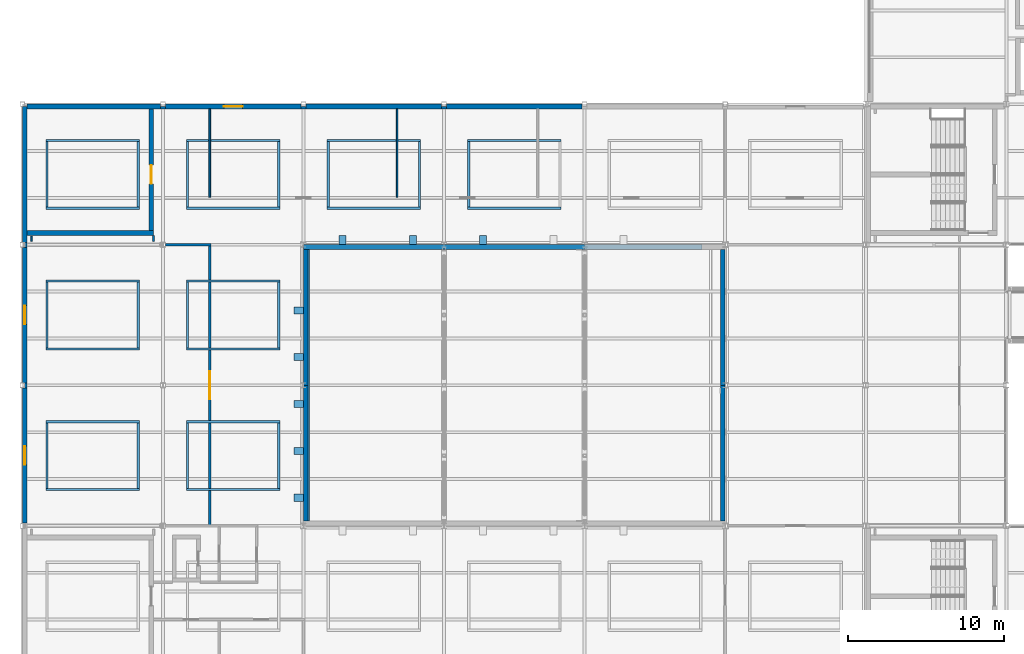
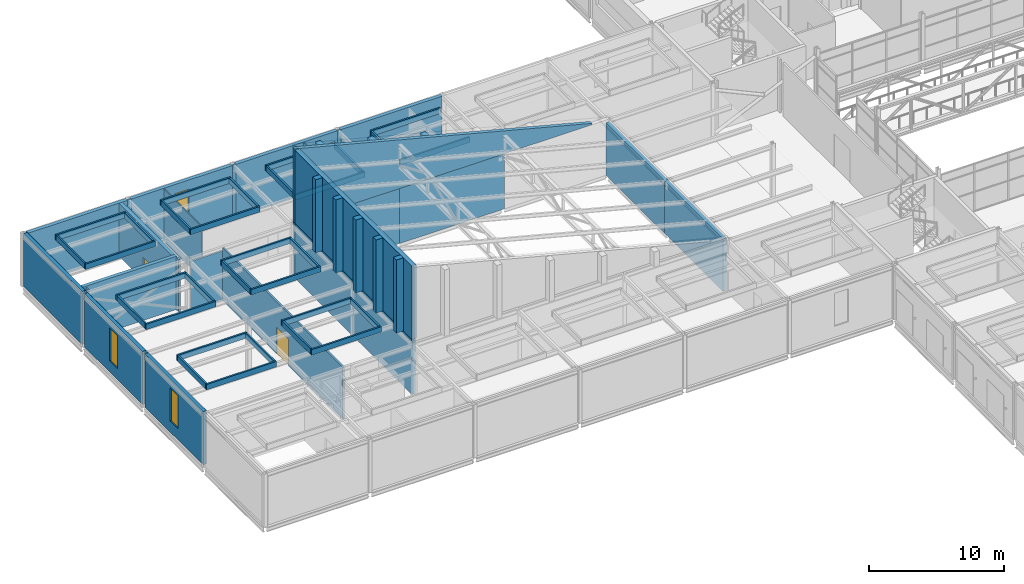
# One storey, part 83 of 115: 67 walls, 3 windows, 2 doors, 5 openings.
"""IFC4 building model written with IfcOpenShell, lengths in metres."""

import ifcopenshell
import ifcopenshell.guid

model = None  # the IFC model being written
_history = None  # IfcOwnerHistory: only IFC2X3 demands one
_inside = {}  # id of a spatial element -> (the spatial element, [elements in it])
_under = {}  # id of a project, library or spatial element -> (it, [spatial elements below it])
_declared = {}  # id of a project -> (the project, [libraries it declares])
_typed = {}  # id of a type object -> (the type object, [elements of that type])
_made_of = {}  # id of a material, layer set ... -> (it, [elements and type objects made of it])


def new_model(schema):
    """Start an empty IFC model of exactly this schema.

    Asked for "IFC4X3", IfcOpenShell would pick the latest addendum, in which some entities
    have other attributes; the version numbers below select the first issue.
    IFC2X3 requires an IfcOwnerHistory on every rooted entity: one is made here for all.
    """
    global model, _history
    if schema == "IFC4X3":
        model = ifcopenshell.file(schema_version=(4, 3, 0, 0))
    else:
        model = ifcopenshell.file(schema=schema)
    _inside.clear()
    _under.clear()
    _declared.clear()
    _typed.clear()
    _made_of.clear()
    _history = None
    if model.schema == "IFC2X3":
        org = make("IfcOrganization", Name="unknown")
        user = make(
            "IfcPersonAndOrganization",
            ThePerson=make("IfcPerson", FamilyName="unknown"),
            TheOrganization=org,
        )
        app = make(
            "IfcApplication",
            ApplicationDeveloper=org,
            Version="unknown",
            ApplicationFullName="unknown",
            ApplicationIdentifier="unknown",
        )
        _history = make(
            "IfcOwnerHistory",
            OwningUser=user,
            OwningApplication=app,
            ChangeAction="ADDED",
            CreationDate=0,
        )
    return model


def make(cls, **values):
    """One entity of the class cls with the attributes given. An attribute that is None is left unset."""
    return model.create_entity(
        cls, **{name: value for name, value in values.items() if value is not None}
    )


def rooted(cls, **values):
    """An entity with a GlobalId (a new one), such as an element, a storey or a relation."""
    return make(cls, GlobalId=ifcopenshell.guid.new(), OwnerHistory=_history, **values)


def si_unit(unit_type, name, prefix=None):
    """IfcSIUnit, for example si_unit("LENGTHUNIT", "METRE", prefix="MILLI")."""
    return make("IfcSIUnit", UnitType=unit_type, Prefix=prefix, Name=name)


def assignment(units):
    """IfcUnitAssignment: the units of a project."""
    return None if units is None else make("IfcUnitAssignment", Units=units)


def point(xyz):
    """IfcCartesianPoint."""
    return None if xyz is None else make("IfcCartesianPoint", Coordinates=xyz)


def direction(xyz):
    """IfcDirection."""
    return None if xyz is None else make("IfcDirection", DirectionRatios=xyz)


def frame(location, z_axis=None, x_axis=None):
    """IfcAxis2Placement3D, a coordinate frame: its origin and axes. An axis left out is left unset."""
    return make(
        "IfcAxis2Placement3D",
        Location=point(location),
        Axis=direction(z_axis),
        RefDirection=direction(x_axis),
    )


def frame_2d(location, x_axis=None):
    """IfcAxis2Placement2D, a coordinate frame in the plane: its origin and x axis."""
    return make(
        "IfcAxis2Placement2D", Location=point(location), RefDirection=direction(x_axis)
    )


def origin():
    """The frame at (0, 0, 0) with its axes left unset."""
    return frame((0.0, 0.0, 0.0))


def place(relative_to, where):
    """IfcLocalPlacement: puts the frame where relative to a parent placement (None: the world)."""
    return make(
        "IfcLocalPlacement", PlacementRelTo=relative_to, RelativePlacement=where
    )


def context(
    kind, dimensions, precision=None, world=None, true_north=None, identifier=None
):
    """IfcGeometricRepresentationContext, for example the 3D "Model" context."""
    return make(
        "IfcGeometricRepresentationContext",
        ContextIdentifier=identifier,
        ContextType=kind,
        CoordinateSpaceDimension=dimensions,
        Precision=precision,
        WorldCoordinateSystem=world,
        TrueNorth=true_north,
    )


def subcontext(parent, identifier, kind, view, scale=None):
    """IfcGeometricRepresentationSubContext, for example "Body" below "Model"."""
    return make(
        "IfcGeometricRepresentationSubContext",
        ContextIdentifier=identifier,
        ContextType=kind,
        ParentContext=parent,
        TargetScale=scale,
        TargetView=view,
    )


def project(units=None, contexts=None):
    """IfcProject with its units and contexts."""
    return rooted(
        "IfcProject",
        Name="project",
        RepresentationContexts=contexts,
        UnitsInContext=assignment(units),
    )


def spatial(cls, under=None, at=None, **own):
    """A site, building, storey or space (cls), placed at a placement, below another one or the project."""
    s = rooted(cls, ObjectPlacement=at, **own)
    if under is not None:
        _under.setdefault(under.id(), (under, []))[1].append(s)
    return s


def polyline(points):
    """IfcPolyline through the points."""
    return make("IfcPolyline", Points=[point(p) for p in points])


def profile(cls, at=None, kind="AREA", **sizes):
    """A parametric profile (cls). Its sizes go by their IFC names, for example OverallWidth=200.0."""
    return make(cls, ProfileType=kind, Position=at, **sizes)


def rectangle(**sizes):
    """IfcRectangleProfileDef."""
    return profile("IfcRectangleProfileDef", **sizes)


def outline(outer, holes=None, kind="AREA"):
    """IfcArbitraryClosedProfileDef: a profile drawn as a closed curve; with holes, ...WithVoids."""
    if holes is None:
        return make("IfcArbitraryClosedProfileDef", ProfileType=kind, OuterCurve=outer)
    return make(
        "IfcArbitraryProfileDefWithVoids",
        ProfileType=kind,
        OuterCurve=outer,
        InnerCurves=holes,
    )


def extrude(swept, where, along, depth):
    """IfcExtrudedAreaSolid: the profile swept, set in the frame where, extruded along a direction by depth."""
    return make(
        "IfcExtrudedAreaSolid",
        SweptArea=swept,
        Position=where,
        ExtrudedDirection=direction(along),
        Depth=depth,
    )


def shape(context_of_items, identifier, shape_type, items):
    """IfcShapeRepresentation: the items that make up one representation, for example the "Body"."""
    return make(
        "IfcShapeRepresentation",
        ContextOfItems=context_of_items,
        RepresentationIdentifier=identifier,
        RepresentationType=shape_type,
        Items=items,
    )


def material(Name=None, Category=None):
    """IfcMaterial."""
    return make("IfcMaterial", Name=Name, Category=Category)


def layer(
    of_material, thickness, ventilated=None, Name=None, Category=None, Priority=None
):
    """IfcMaterialLayer: one layer of a wall or slab, of a material (None: an air gap)."""
    return make(
        "IfcMaterialLayer",
        Material=of_material,
        LayerThickness=thickness,
        IsVentilated=ventilated,
        Name=Name,
        Category=Category,
        Priority=Priority,
    )


def layer_set(layers, Name=None):
    """IfcMaterialLayerSet."""
    return make("IfcMaterialLayerSet", MaterialLayers=layers, LayerSetName=Name)


def made_of(thing, what):
    """Note that an element or type object is made of a material, layer set ...; save() writes the relation."""
    if what is not None:
        _made_of.setdefault(what.id(), (what, []))[1].append(thing)
    return thing


def type_object(cls, material=None, **own):
    """A type object (cls), such as IfcWallType, which elements share."""
    return made_of(rooted(cls, **own), material)


def element(
    cls,
    number,
    at=None,
    inside=None,
    cuts=None,
    type_object=None,
    material=None,
    context=None,
    identifier="Body",
    shape_type=None,
    held_by="IfcProductDefinitionShape",
    body=None,
    shapes=None,
    **own,
):
    """One element of the class cls, such as IfcWall. Its Tag is "e" and its number.

    at: its placement. inside: the storey or other place that contains it. cuts: it is an
    opening in that element (IfcRelVoidsElement). A single representation is given by context,
    identifier, shape_type and body (its items); several are given by shapes. held_by: the class
    of the entity that holds the representations. save() writes the other relations.
    """
    e = rooted(cls, Tag="e%d" % number, ObjectPlacement=at, **own)
    if body is not None:
        shapes = [shape(context, identifier, shape_type, body)]
    if shapes is not None:
        e.Representation = make(held_by, Representations=shapes)
    if inside is not None:
        _inside.setdefault(inside.id(), (inside, []))[1].append(e)
    if cuts is not None:
        rooted(
            "IfcRelVoidsElement", RelatingBuildingElement=cuts, RelatedOpeningElement=e
        )
    if type_object is not None:
        _typed.setdefault(type_object.id(), (type_object, []))[1].append(e)
    return made_of(e, material)


def fill(opening, filler):
    """IfcRelFillsElement: the door or window that sits in an opening."""
    return rooted(
        "IfcRelFillsElement",
        RelatingOpeningElement=opening,
        RelatedBuildingElement=filler,
    )


def aggregate(whole, parts):
    """IfcRelAggregates: a whole, such as a stair, and the parts it consists of."""
    return rooted("IfcRelAggregates", RelatingObject=whole, RelatedObjects=parts)


def save(model, path):
    """Write the relations noted so far, then the file.

    IfcRelAggregates (storeys below a building ...), IfcRelContainedInSpatialStructure (elements
    in a storey), IfcRelDefinesByType, IfcRelAssociatesMaterial and IfcRelDeclares: one each for
    every whole, place, type object, material and project.
    """
    for whole, parts in _under.values():
        aggregate(whole, parts)
    for where, things in _inside.values():
        rooted(
            "IfcRelContainedInSpatialStructure",
            RelatedElements=things,
            RelatingStructure=where,
        )
    for kind, things in _typed.values():
        rooted("IfcRelDefinesByType", RelatedObjects=things, RelatingType=kind)
    for what, things in _made_of.values():
        rooted("IfcRelAssociatesMaterial", RelatedObjects=things, RelatingMaterial=what)
    for by, libraries in _declared.values():
        rooted("IfcRelDeclares", RelatingContext=by, RelatedDefinitions=libraries)
    model.write(path)


model = new_model("IFC4")

# Units and contexts
model_context = context("Model", 3, precision=1e-05, world=origin(), true_north=direction((0.0, 1.0)))
body_context = subcontext(model_context, "Body", "Model", "MODEL_VIEW")
ifc_project = project(units=[si_unit("LENGTHUNIT", "METRE"), si_unit("AREAUNIT", "SQUARE_METRE"), si_unit("VOLUMEUNIT", "CUBIC_METRE"), si_unit("PLANEANGLEUNIT", "RADIAN"), si_unit("MASSUNIT", "GRAM", prefix="KILO")], contexts=[model_context])

# Site, building, storey
site_placement = place(None, origin())
site = spatial("IfcSite", under=ifc_project, at=site_placement, CompositionType="ELEMENT")
building_placement = place(site_placement, origin())
building = spatial("IfcBuilding", under=site, at=building_placement, Name="Shorebreak Coast Museum", CompositionType="ELEMENT")
storey_placement = place(building_placement, frame((0.0, 0.0, 11.0)))
storey = spatial("IfcBuildingStorey", under=building, at=storey_placement, Name="L02", CompositionType="ELEMENT", Elevation=11.0)

# Walls
ifc_material_1 = material(Name="Concrete N50 (50 MPa)", Category="concrete")
ifc_layer_1 = layer(ifc_material_1, 0.14990234375)
ifc_layer_set_1 = layer_set([ifc_layer_1], Name="Concrete N50 (50 MPa)")
wall_type_1 = type_object("IfcWallType", Name="Column closure panel 150", PredefinedType="SOLIDWALL", material=ifc_layer_set_1)
wall_1_placement = place(storey_placement, frame((8.85009765625, 89.77490234375, 0.0), z_axis=(0.0, 0.0, 1.0), x_axis=(1.0, 0.0, 0.0)))
element("IfcWall", 1, at=wall_1_placement, inside=storey, type_object=wall_type_1, Name="Column closure panel L02 N 2L", PredefinedType="SOLIDWALL", context=body_context, shape_type="SweptSolid", body=[
    extrude(rectangle(XDim=0.322021484375, YDim=0.14990234375, at=frame_2d((0.1611328125, 0.0))), origin(), (0.0, 0.0, 1.0), 4.824951171875),
])
for number, where, z_axis, x_axis, name in (
    (2, (17.839111328125, 89.77490234375, 0.0), (0.0, 0.0, 1.0), (1.0, 0.0, 0.0), "Column closure panel L02 N 3L"),
    (3, (26.839111328125, 89.77490234375, 0.0), (0.0, 0.0, 1.0), (1.0, 0.0, 0.0), "Column closure panel L02 N 4L"),
    (4, (0.22509765625, 71.839111328125, 0.0), (0.0, 0.0, 1.0), (0.0, 1.0, 0.0), "Column closure panel L02 W 1J"),
):
    element("IfcWall", number, at=place(storey_placement, frame(where, z_axis=z_axis, x_axis=x_axis)), inside=storey, type_object=wall_type_1, Name=name, PredefinedType="SOLIDWALL", context=body_context, shape_type="SweptSolid", body=[
        extrude(rectangle(XDim=0.32177734375, YDim=0.14990234375, at=frame_2d((0.160888671875, 0.0))), origin(), (0.0, 0.0, 1.0), 4.824951171875),
    ])
wall_2_placement = place(storey_placement, frame((0.22509765625, 80.827880859375, 0.0), z_axis=(0.0, 0.0, 1.0), x_axis=(0.0, 1.0, 0.0)))
element("IfcWall", 5, at=wall_2_placement, inside=storey, type_object=wall_type_1, Name="Column closure panel L02 W 1K", PredefinedType="SOLIDWALL", context=body_context, shape_type="SweptSolid", body=[
    extrude(rectangle(XDim=0.322021484375, YDim=0.14990234375, at=frame_2d((0.1611328125, 0.0))), origin(), (0.0, 0.0, 1.0), 4.824951171875),
])
ifc_material_2 = material(Name="Plasterboard on steel stud", Category="steel")
ifc_layer_2 = layer(ifc_material_2, 0.14990234375)
ifc_layer_set_2 = layer_set([ifc_layer_2], Name="Plasterboard on steel stud")
wall_type_2 = type_object("IfcWallType", Name="Fire partition 150", PredefinedType="PARTITIONING", material=ifc_layer_set_2)
wall_3_placement = place(storey_placement, frame((9.153564453125, 81.0, 0.0), z_axis=(0.0, 0.0, 1.0), x_axis=(1.0, 0.0, 0.0)))
element("IfcWall", 6, at=wall_3_placement, inside=storey, type_object=wall_type_2, Name="Partition L02-052", PredefinedType="PARTITIONING", context=body_context, shape_type="SweptSolid", body=[
    extrude(rectangle(XDim=2.92138671875, YDim=0.14990234375, at=frame_2d((1.460693359375, 0.0))), origin(), (0.0, 0.0, 1.0), 4.469482421875),
])
wall_4_placement = place(storey_placement, frame((8.39990234375, 81.219970703125, 0.0), z_axis=(0.0, 0.0, 1.0), x_axis=(0.0, 1.0, 0.0)))
element("IfcWall", 7, at=wall_4_placement, inside=storey, type_object=wall_type_2, Name="Partition L02-088", PredefinedType="PARTITIONING", context=body_context, shape_type="SweptSolid", body=[
    extrude(rectangle(XDim=0.380126953125, YDim=0.14990234375, at=frame_2d((0.18994140625, 0.0))), origin(), (0.0, 0.0, 1.0), 4.741943359375),
])

# Wall, opening, door
wall_5_placement = place(storey_placement, frame((12.0, 63.0625, 0.0), z_axis=(0.0, 0.0, 1.0), x_axis=(0.0, 1.0, 0.0)))
wall_5 = element("IfcWall", 8, at=wall_5_placement, inside=storey, type_object=wall_type_2, Name="Partition L02-089", PredefinedType="PARTITIONING", context=body_context, shape_type="SweptSolid", body=[
    extrude(rectangle(XDim=17.862548828125, YDim=0.14990234375, at=frame_2d((8.93115234375, 0.0))), origin(), (0.0, 0.0, 1.0), 4.741943359375),
])
opening_1_placement = place(wall_5_placement, frame((8.050048828125, 0.0, 0.0)))
opening_1 = element("IfcOpeningElement", 9, at=opening_1_placement, cuts=wall_5, Name="Opening D2052", PredefinedType="OPENING", context=body_context, shape_type="SweptSolid", body=[
    extrude(rectangle(XDim=1.800048828125, YDim=2.39990234375, at=frame_2d((0.89990234375, 1.199951171875))), frame((0.0, 0.0849609375, 0.0), z_axis=(0.0, -1.0, 0.0), x_axis=(1.0, 0.0, 0.0)), (0.0, 0.0, 1.0), 0.169921875),
])
ifc_material_3 = material(Name="Steel", Category="steel")
door_type_1 = type_object("IfcDoorType", Name="Fire door 1800x2400 60", OperationType="DOUBLE_DOOR_SINGLE_SWING", PredefinedType="DOOR", material=ifc_material_3)
door_1_placement = place(opening_1_placement, origin())
door_1 = element("IfcDoor", 10, at=door_1_placement, inside=storey, type_object=door_type_1, Name="Door D2052 Family Gallery", OperationType="DOUBLE_DOOR_SINGLE_SWING", OverallHeight=2.39990234375, OverallWidth=1.800048828125, PredefinedType="DOOR", context=body_context, shape_type="SweptSolid", body=[
    extrude(rectangle(XDim=1.800048828125, YDim=2.39990234375, at=frame_2d((0.89990234375, 1.199951171875))), frame((0.0, 0.02490234375, 0.0), z_axis=(0.0, -1.0, 0.0), x_axis=(1.0, 0.0, 0.0)), (0.0, 0.0, 1.0), 0.050048828125),
])
fill(opening_1, door_1)

# Walls
ifc_material_4 = material(Name="Plasterboard on steel stud", Category="steel")
ifc_layer_3 = layer(ifc_material_4, 0.10009765625)
ifc_layer_set_3 = layer_set([ifc_layer_3], Name="Plasterboard on steel stud")
wall_type_3 = type_object("IfcWallType", Name="Partition 100", PredefinedType="PARTITIONING", material=ifc_layer_set_3)
wall_6_placement = place(storey_placement, frame((0.60009765625, 81.219970703125, 0.0), z_axis=(0.0, 0.0, 1.0), x_axis=(0.0, 1.0, 0.0)))
element("IfcWall", 11, at=wall_6_placement, inside=storey, type_object=wall_type_3, Name="Partition L02-086", PredefinedType="PARTITIONING", context=body_context, shape_type="SweptSolid", body=[
    extrude(rectangle(XDim=0.330078125, YDim=0.10009765625, at=frame_2d((0.1650390625, 0.0))), origin(), (0.0, 0.0, 1.0), 4.741943359375),
])
for number, where, z_axis, x_axis, name in (
    (12, (12.0, 84.050048828125, 0.0), (0.0, 0.0, 1.0), (0.0, 1.0, 0.0), "Partition L02-090"),
    (13, (24.0, 84.050048828125, 0.0), (0.0, 0.0, 1.0), (0.0, 1.0, 0.0), "Partition L02-095"),
):
    element("IfcWall", number, at=place(storey_placement, frame(where, z_axis=z_axis, x_axis=x_axis)), inside=storey, type_object=wall_type_3, Name=name, PredefinedType="PARTITIONING", context=body_context, shape_type="SweptSolid", body=[
        extrude(rectangle(XDim=5.64990234375, YDim=0.10009765625, at=frame_2d((2.824951171875, 0.0))), origin(), (0.0, 0.0, 1.0), 4.741943359375),
    ])
ifc_material_5 = material(Name="Concrete N50 (50 MPa)", Category="concrete")
ifc_layer_4 = layer(ifc_material_5, 0.14990234375)
ifc_layer_set_4 = layer_set([ifc_layer_4], Name="Concrete N50 (50 MPa)")
wall_type_4 = type_object("IfcWallType", Name="Planter wall 150 high 500", PredefinedType="PARAPET", material=ifc_layer_set_4)
for number, where, z_axis, x_axis, name in (
    (14, (1.5, 65.324951171875, 5.0), (0.0, 0.0, 1.0), (1.0, 0.0, 0.0), "Planter WDECK-S 7 south wall"),
    (15, (1.5, 69.675048828125, 5.0), (0.0, 0.0, 1.0), (1.0, 0.0, 0.0), "Planter WDECK-S 7 north wall"),
):
    element("IfcWall", number, at=place(storey_placement, frame(where, z_axis=z_axis, x_axis=x_axis)), inside=storey, type_object=wall_type_4, Name=name, PredefinedType="PARAPET", context=body_context, shape_type="SweptSolid", body=[
        extrude(rectangle(XDim=6.0, YDim=0.14990234375, at=frame_2d((3.0, 0.0))), origin(), (0.0, 0.0, 1.0), 0.5),
    ])
for number, where, z_axis, x_axis, name in (
    (16, (1.574951171875, 65.39990234375, 5.0), (0.0, 0.0, 1.0), (0.0, 1.0, 0.0), "Planter WDECK-S 7 west wall"),
    (17, (7.425048828125, 65.39990234375, 5.0), (0.0, 0.0, 1.0), (0.0, 1.0, 0.0), "Planter WDECK-S 7 east wall"),
):
    element("IfcWall", number, at=place(storey_placement, frame(where, z_axis=z_axis, x_axis=x_axis)), inside=storey, type_object=wall_type_4, Name=name, PredefinedType="PARAPET", context=body_context, shape_type="SweptSolid", body=[
        extrude(rectangle(XDim=4.2001953125, YDim=0.14990234375, at=frame_2d((2.10009765625, 0.0))), origin(), (0.0, 0.0, 1.0), 0.5),
    ])
for number, where, z_axis, x_axis, name in (
    (18, (10.5, 65.324951171875, 5.0), (0.0, 0.0, 1.0), (1.0, 0.0, 0.0), "Planter WDECK-S 8 south wall"),
    (19, (10.5, 69.675048828125, 5.0), (0.0, 0.0, 1.0), (1.0, 0.0, 0.0), "Planter WDECK-S 8 north wall"),
):
    element("IfcWall", number, at=place(storey_placement, frame(where, z_axis=z_axis, x_axis=x_axis)), inside=storey, type_object=wall_type_4, Name=name, PredefinedType="PARAPET", context=body_context, shape_type="SweptSolid", body=[
        extrude(rectangle(XDim=6.0, YDim=0.14990234375, at=frame_2d((3.0, 0.0))), origin(), (0.0, 0.0, 1.0), 0.5),
    ])
for number, where, z_axis, x_axis, name in (
    (20, (10.574951171875, 65.39990234375, 5.0), (0.0, 0.0, 1.0), (0.0, 1.0, 0.0), "Planter WDECK-S 8 west wall"),
    (21, (16.425048828125, 65.39990234375, 5.0), (0.0, 0.0, 1.0), (0.0, 1.0, 0.0), "Planter WDECK-S 8 east wall"),
):
    element("IfcWall", number, at=place(storey_placement, frame(where, z_axis=z_axis, x_axis=x_axis)), inside=storey, type_object=wall_type_4, Name=name, PredefinedType="PARAPET", context=body_context, shape_type="SweptSolid", body=[
        extrude(rectangle(XDim=4.2001953125, YDim=0.14990234375, at=frame_2d((2.10009765625, 0.0))), origin(), (0.0, 0.0, 1.0), 0.5),
    ])
for number, where, z_axis, x_axis, name in (
    (22, (1.5, 74.324951171875, 5.0), (0.0, 0.0, 1.0), (1.0, 0.0, 0.0), "Planter WDECK-S 9 south wall"),
    (23, (1.5, 78.675048828125, 5.0), (0.0, 0.0, 1.0), (1.0, 0.0, 0.0), "Planter WDECK-S 9 north wall"),
):
    element("IfcWall", number, at=place(storey_placement, frame(where, z_axis=z_axis, x_axis=x_axis)), inside=storey, type_object=wall_type_4, Name=name, PredefinedType="PARAPET", context=body_context, shape_type="SweptSolid", body=[
        extrude(rectangle(XDim=6.0, YDim=0.14990234375, at=frame_2d((3.0, 0.0))), origin(), (0.0, 0.0, 1.0), 0.5),
    ])
for number, where, z_axis, x_axis, name in (
    (24, (1.574951171875, 74.39990234375, 5.0), (0.0, 0.0, 1.0), (0.0, 1.0, 0.0), "Planter WDECK-S 9 west wall"),
    (25, (7.425048828125, 74.39990234375, 5.0), (0.0, 0.0, 1.0), (0.0, 1.0, 0.0), "Planter WDECK-S 9 east wall"),
):
    element("IfcWall", number, at=place(storey_placement, frame(where, z_axis=z_axis, x_axis=x_axis)), inside=storey, type_object=wall_type_4, Name=name, PredefinedType="PARAPET", context=body_context, shape_type="SweptSolid", body=[
        extrude(rectangle(XDim=4.2001953125, YDim=0.14990234375, at=frame_2d((2.10009765625, 0.0))), origin(), (0.0, 0.0, 1.0), 0.5),
    ])
for number, where, z_axis, x_axis, name in (
    (26, (10.5, 74.324951171875, 5.0), (0.0, 0.0, 1.0), (1.0, 0.0, 0.0), "Planter WDECK-S 10 south wall"),
    (27, (10.5, 78.675048828125, 5.0), (0.0, 0.0, 1.0), (1.0, 0.0, 0.0), "Planter WDECK-S 10 north wall"),
):
    element("IfcWall", number, at=place(storey_placement, frame(where, z_axis=z_axis, x_axis=x_axis)), inside=storey, type_object=wall_type_4, Name=name, PredefinedType="PARAPET", context=body_context, shape_type="SweptSolid", body=[
        extrude(rectangle(XDim=6.0, YDim=0.14990234375, at=frame_2d((3.0, 0.0))), origin(), (0.0, 0.0, 1.0), 0.5),
    ])
for number, where, z_axis, x_axis, name in (
    (28, (10.574951171875, 74.39990234375, 5.0), (0.0, 0.0, 1.0), (0.0, 1.0, 0.0), "Planter WDECK-S 10 west wall"),
    (29, (16.425048828125, 74.39990234375, 5.0), (0.0, 0.0, 1.0), (0.0, 1.0, 0.0), "Planter WDECK-S 10 east wall"),
):
    element("IfcWall", number, at=place(storey_placement, frame(where, z_axis=z_axis, x_axis=x_axis)), inside=storey, type_object=wall_type_4, Name=name, PredefinedType="PARAPET", context=body_context, shape_type="SweptSolid", body=[
        extrude(rectangle(XDim=4.2001953125, YDim=0.14990234375, at=frame_2d((2.10009765625, 0.0))), origin(), (0.0, 0.0, 1.0), 0.5),
    ])
for number, where, z_axis, x_axis, name in (
    (30, (1.5, 83.324951171875, 5.0), (0.0, 0.0, 1.0), (1.0, 0.0, 0.0), "Planter WDECK-S 11 south wall"),
    (31, (1.5, 87.675048828125, 5.0), (0.0, 0.0, 1.0), (1.0, 0.0, 0.0), "Planter WDECK-S 11 north wall"),
):
    element("IfcWall", number, at=place(storey_placement, frame(where, z_axis=z_axis, x_axis=x_axis)), inside=storey, type_object=wall_type_4, Name=name, PredefinedType="PARAPET", context=body_context, shape_type="SweptSolid", body=[
        extrude(rectangle(XDim=6.0, YDim=0.14990234375, at=frame_2d((3.0, 0.0))), origin(), (0.0, 0.0, 1.0), 0.5),
    ])
for number, where, z_axis, x_axis, name in (
    (32, (1.574951171875, 83.39990234375, 5.0), (0.0, 0.0, 1.0), (0.0, 1.0, 0.0), "Planter WDECK-S 11 west wall"),
    (33, (7.425048828125, 83.39990234375, 5.0), (0.0, 0.0, 1.0), (0.0, 1.0, 0.0), "Planter WDECK-S 11 east wall"),
):
    element("IfcWall", number, at=place(storey_placement, frame(where, z_axis=z_axis, x_axis=x_axis)), inside=storey, type_object=wall_type_4, Name=name, PredefinedType="PARAPET", context=body_context, shape_type="SweptSolid", body=[
        extrude(rectangle(XDim=4.2001953125, YDim=0.14990234375, at=frame_2d((2.10009765625, 0.0))), origin(), (0.0, 0.0, 1.0), 0.5),
    ])
for number, where, z_axis, x_axis, name in (
    (34, (10.5, 83.324951171875, 5.0), (0.0, 0.0, 1.0), (1.0, 0.0, 0.0), "Planter WDECK-S 12 south wall"),
    (35, (10.5, 87.675048828125, 5.0), (0.0, 0.0, 1.0), (1.0, 0.0, 0.0), "Planter WDECK-S 12 north wall"),
):
    element("IfcWall", number, at=place(storey_placement, frame(where, z_axis=z_axis, x_axis=x_axis)), inside=storey, type_object=wall_type_4, Name=name, PredefinedType="PARAPET", context=body_context, shape_type="SweptSolid", body=[
        extrude(rectangle(XDim=6.0, YDim=0.14990234375, at=frame_2d((3.0, 0.0))), origin(), (0.0, 0.0, 1.0), 0.5),
    ])
for number, where, z_axis, x_axis, name in (
    (36, (10.574951171875, 83.39990234375, 5.0), (0.0, 0.0, 1.0), (0.0, 1.0, 0.0), "Planter WDECK-S 12 west wall"),
    (37, (16.425048828125, 83.39990234375, 5.0), (0.0, 0.0, 1.0), (0.0, 1.0, 0.0), "Planter WDECK-S 12 east wall"),
):
    element("IfcWall", number, at=place(storey_placement, frame(where, z_axis=z_axis, x_axis=x_axis)), inside=storey, type_object=wall_type_4, Name=name, PredefinedType="PARAPET", context=body_context, shape_type="SweptSolid", body=[
        extrude(rectangle(XDim=4.2001953125, YDim=0.14990234375, at=frame_2d((2.10009765625, 0.0))), origin(), (0.0, 0.0, 1.0), 0.5),
    ])
for number, where, z_axis, x_axis, name in (
    (38, (19.5, 83.324951171875, 5.0), (0.0, 0.0, 1.0), (1.0, 0.0, 0.0), "Planter WDECK-S 13 south wall"),
    (39, (19.5, 87.675048828125, 5.0), (0.0, 0.0, 1.0), (1.0, 0.0, 0.0), "Planter WDECK-S 13 north wall"),
):
    element("IfcWall", number, at=place(storey_placement, frame(where, z_axis=z_axis, x_axis=x_axis)), inside=storey, type_object=wall_type_4, Name=name, PredefinedType="PARAPET", context=body_context, shape_type="SweptSolid", body=[
        extrude(rectangle(XDim=6.0, YDim=0.14990234375, at=frame_2d((3.0, 0.0))), origin(), (0.0, 0.0, 1.0), 0.5),
    ])
for number, where, z_axis, x_axis, name in (
    (40, (19.574951171875, 83.39990234375, 5.0), (0.0, 0.0, 1.0), (0.0, 1.0, 0.0), "Planter WDECK-S 13 west wall"),
    (41, (25.425048828125, 83.39990234375, 5.0), (0.0, 0.0, 1.0), (0.0, 1.0, 0.0), "Planter WDECK-S 13 east wall"),
):
    element("IfcWall", number, at=place(storey_placement, frame(where, z_axis=z_axis, x_axis=x_axis)), inside=storey, type_object=wall_type_4, Name=name, PredefinedType="PARAPET", context=body_context, shape_type="SweptSolid", body=[
        extrude(rectangle(XDim=4.2001953125, YDim=0.14990234375, at=frame_2d((2.10009765625, 0.0))), origin(), (0.0, 0.0, 1.0), 0.5),
    ])
for number, where, z_axis, x_axis, name in (
    (42, (28.5, 83.324951171875, 5.0), (0.0, 0.0, 1.0), (1.0, 0.0, 0.0), "Planter WDECK-S 14 south wall"),
    (43, (28.5, 87.675048828125, 5.0), (0.0, 0.0, 1.0), (1.0, 0.0, 0.0), "Planter WDECK-S 14 north wall"),
):
    element("IfcWall", number, at=place(storey_placement, frame(where, z_axis=z_axis, x_axis=x_axis)), inside=storey, type_object=wall_type_4, Name=name, PredefinedType="PARAPET", context=body_context, shape_type="SweptSolid", body=[
        extrude(rectangle(XDim=6.0, YDim=0.14990234375, at=frame_2d((3.0, 0.0))), origin(), (0.0, 0.0, 1.0), 0.5),
    ])
wall_7_placement = place(storey_placement, frame((28.574951171875, 83.39990234375, 5.0), z_axis=(0.0, 0.0, 1.0), x_axis=(0.0, 1.0, 0.0)))
element("IfcWall", 44, at=wall_7_placement, inside=storey, type_object=wall_type_4, Name="Planter WDECK-S 14 west wall", PredefinedType="PARAPET", context=body_context, shape_type="SweptSolid", body=[
    extrude(rectangle(XDim=4.2001953125, YDim=0.14990234375, at=frame_2d((2.10009765625, 0.0))), origin(), (0.0, 0.0, 1.0), 0.5),
])

# Wall, opening, window
ifc_material_6 = material(Name="Concrete N50 (50 MPa)", Category="concrete")
ifc_layer_5 = layer(ifc_material_6, 0.300048828125)
ifc_layer_set_5 = layer_set([ifc_layer_5], Name="Concrete N50 (50 MPa)")
wall_type_5 = type_object("IfcWallType", Name="Precast board-marked panel 300", PredefinedType="SOLIDWALL", material=ifc_layer_set_5)
wall_8_placement = place(storey_placement, frame((0.14990234375, 63.172119140625, 0.0), z_axis=(0.0, 0.0, 1.0), x_axis=(0.0, 1.0, 0.0)))
wall_8 = element("IfcWall", 45, at=wall_8_placement, inside=storey, type_object=wall_type_5, Name="External wall L02 W 1H", PredefinedType="SOLIDWALL", context=body_context, shape_type="SweptSolid", body=[
    extrude(rectangle(XDim=8.6669921875, YDim=0.300048828125, at=frame_2d((4.33349609375, 0.0))), origin(), (0.0, 0.0, 1.0), 4.824951171875),
])
opening_2_placement = place(wall_8_placement, frame((3.72802734375, 0.0, 1.0)))
opening_2 = element("IfcOpeningElement", 46, at=opening_2_placement, cuts=wall_8, Name="Opening WN2068", PredefinedType="OPENING", context=body_context, shape_type="SweptSolid", body=[
    extrude(rectangle(XDim=1.199951171875, YDim=3.0, at=frame_2d((0.60009765625, 1.5))), frame((0.0, 0.159912109375, 0.0), z_axis=(0.0, -1.0, 0.0), x_axis=(1.0, 0.0, 0.0)), (0.0, 0.0, 1.0), 0.320068359375),
])
ifc_material_7 = material(Name="Aluminium", Category="aluminium")
window_type = type_object("IfcWindowType", Name="Foyer slot window 1200 x 3000", PartitioningType="SINGLE_PANEL", PredefinedType="WINDOW", material=ifc_material_7)
window_1_placement = place(opening_2_placement, origin())
window_1 = element("IfcWindow", 47, at=window_1_placement, inside=storey, type_object=window_type, Name="Window WN2068", OverallHeight=3.0, OverallWidth=1.199951171875, PartitioningType="SINGLE_PANEL", PredefinedType="WINDOW", context=body_context, shape_type="SweptSolid", body=[
    extrude(rectangle(XDim=1.199951171875, YDim=3.0, at=frame_2d((0.60009765625, 1.5))), frame((0.0, 0.030029296875, 0.0), z_axis=(0.0, -1.0, 0.0), x_axis=(1.0, 0.0, 0.0)), (0.0, 0.0, 1.0), 0.06005859375),
])
fill(opening_2, window_1)

wall_9_placement = place(storey_placement, frame((0.14990234375, 72.160888671875, 0.0), z_axis=(0.0, 0.0, 1.0), x_axis=(0.0, 1.0, 0.0)))
wall_9 = element("IfcWall", 48, at=wall_9_placement, inside=storey, type_object=wall_type_5, Name="External wall L02 W 1J", PredefinedType="SOLIDWALL", context=body_context, shape_type="SweptSolid", body=[
    extrude(rectangle(XDim=8.6669921875, YDim=0.300048828125, at=frame_2d((4.33349609375, 0.0))), origin(), (0.0, 0.0, 1.0), 4.824951171875),
])
opening_3_placement = place(wall_9_placement, frame((3.739013671875, 0.0, 1.0)))
opening_3 = element("IfcOpeningElement", 49, at=opening_3_placement, cuts=wall_9, Name="Opening WN2069", PredefinedType="OPENING", context=body_context, shape_type="SweptSolid", body=[
    extrude(rectangle(XDim=1.199951171875, YDim=3.0, at=frame_2d((0.60009765625, 1.5))), frame((0.0, 0.159912109375, 0.0), z_axis=(0.0, -1.0, 0.0), x_axis=(1.0, 0.0, 0.0)), (0.0, 0.0, 1.0), 0.320068359375),
])
window_2_placement = place(opening_3_placement, origin())
window_2 = element("IfcWindow", 50, at=window_2_placement, inside=storey, type_object=window_type, Name="Window WN2069", OverallHeight=3.0, OverallWidth=1.199951171875, PartitioningType="SINGLE_PANEL", PredefinedType="WINDOW", context=body_context, shape_type="SweptSolid", body=[
    extrude(rectangle(XDim=1.199951171875, YDim=3.0, at=frame_2d((0.60009765625, 1.5))), frame((0.0, 0.030029296875, 0.0), z_axis=(0.0, -1.0, 0.0), x_axis=(1.0, 0.0, 0.0)), (0.0, 0.0, 1.0), 0.06005859375),
])
fill(opening_3, window_2)

wall_10_placement = place(storey_placement, frame((9.172119140625, 89.85009765625, 0.0), z_axis=(0.0, 0.0, 1.0), x_axis=(1.0, 0.0, 0.0)))
wall_10 = element("IfcWall", 51, at=wall_10_placement, inside=storey, type_object=wall_type_5, Name="External wall L02 N 2L", PredefinedType="SOLIDWALL", context=body_context, shape_type="SweptSolid", body=[
    extrude(rectangle(XDim=8.6669921875, YDim=0.300048828125, at=frame_2d((4.33349609375, 0.0))), origin(), (0.0, 0.0, 1.0), 4.824951171875),
])
opening_4_placement = place(wall_10_placement, frame((3.72802734375, 0.0, 1.0)))
opening_4 = element("IfcOpeningElement", 52, at=opening_4_placement, cuts=wall_10, Name="Opening WN2016", PredefinedType="OPENING", context=body_context, shape_type="SweptSolid", body=[
    extrude(rectangle(XDim=1.199951171875, YDim=3.0, at=frame_2d((0.60009765625, 1.5))), frame((0.0, 0.159912109375, 0.0), z_axis=(0.0, -1.0, 0.0), x_axis=(1.0, 0.0, 0.0)), (0.0, 0.0, 1.0), 0.320068359375),
])
window_3_placement = place(opening_4_placement, origin())
window_3 = element("IfcWindow", 53, at=window_3_placement, inside=storey, type_object=window_type, Name="Window WN2016", OverallHeight=3.0, OverallWidth=1.199951171875, PartitioningType="SINGLE_PANEL", PredefinedType="WINDOW", context=body_context, shape_type="SweptSolid", body=[
    extrude(rectangle(XDim=1.199951171875, YDim=3.0, at=frame_2d((0.60009765625, 1.5))), frame((0.0, 0.030029296875, 0.0), z_axis=(0.0, -1.0, 0.0), x_axis=(1.0, 0.0, 0.0)), (0.0, 0.0, 1.0), 0.06005859375),
])
fill(opening_4, window_3)

# Walls
for number, where, z_axis, x_axis, name in (
    (54, (18.160888671875, 89.85009765625, 0.0), (0.0, 0.0, 1.0), (1.0, 0.0, 0.0), "External wall L02 N 3L"),
    (55, (27.160888671875, 89.85009765625, 0.0), (0.0, 0.0, 1.0), (1.0, 0.0, 0.0), "External wall L02 N 4L"),
):
    element("IfcWall", number, at=place(storey_placement, frame(where, z_axis=z_axis, x_axis=x_axis)), inside=storey, type_object=wall_type_5, Name=name, PredefinedType="SOLIDWALL", context=body_context, shape_type="SweptSolid", body=[
        extrude(rectangle(XDim=8.67822265625, YDim=0.300048828125, at=frame_2d((4.339111328125, 0.0))), origin(), (0.0, 0.0, 1.0), 4.824951171875),
    ])
ifc_material_8 = material(Name="Concrete N50 (50 MPa)", Category="concrete")
ifc_layer_6 = layer(ifc_material_8, 0.300048828125)
ifc_layer_set_6 = layer_set([ifc_layer_6], Name="Concrete N50 (50 MPa)")
wall_type_6 = type_object("IfcWallType", Name="RC wall 300", PredefinedType="SHEAR", material=ifc_layer_set_6)
wall_11_placement = place(storey_placement, frame((0.300048828125, 81.75, 0.0), z_axis=(0.0, 0.0, 1.0), x_axis=(1.0, 0.0, 0.0)))
element("IfcWall", 56, at=wall_11_placement, inside=storey, type_object=wall_type_6, Name="Stair core wall ST06 L02 S", PredefinedType="SHEAR", context=body_context, shape_type="SweptSolid", body=[
    extrude(rectangle(XDim=8.099853515625, YDim=0.300048828125, at=frame_2d((4.0498046875, 0.0))), origin(), (0.0, 0.0, 1.0), 4.824951171875),
])
wall_12_placement = place(storey_placement, frame((0.300048828125, 89.85009765625, 0.0), z_axis=(0.0, 0.0, 1.0), x_axis=(1.0, 0.0, 0.0)))
element("IfcWall", 57, at=wall_12_placement, inside=storey, type_object=wall_type_6, Name="Stair core wall ST06 L02 N", PredefinedType="SHEAR", context=body_context, shape_type="SweptSolid", body=[
    extrude(rectangle(XDim=8.550048828125, YDim=0.300048828125, at=frame_2d((4.27490234375, 0.0))), origin(), (0.0, 0.0, 1.0), 4.824951171875),
])
wall_13_placement = place(storey_placement, frame((0.14990234375, 81.14990234375, 0.0), z_axis=(0.0, 0.0, 1.0), x_axis=(0.0, 1.0, 0.0)))
element("IfcWall", 58, at=wall_13_placement, inside=storey, type_object=wall_type_6, Name="Stair core wall ST06 L02 W", PredefinedType="SHEAR", context=body_context, shape_type="SweptSolid", body=[
    extrude(rectangle(XDim=8.7001953125, YDim=0.300048828125, at=frame_2d((4.35009765625, 0.0))), origin(), (0.0, 0.0, 1.0), 4.824951171875),
])

# Wall, opening, door
wall_14_placement = place(storey_placement, frame((8.25, 81.89990234375, 0.0), z_axis=(0.0, 0.0, 1.0), x_axis=(0.0, 1.0, 0.0)))
wall_14 = element("IfcWall", 59, at=wall_14_placement, inside=storey, type_object=wall_type_6, Name="Stair core wall ST06 L02 E", PredefinedType="SHEAR", context=body_context, shape_type="SweptSolid", body=[
    extrude(rectangle(XDim=7.800048828125, YDim=0.300048828125, at=frame_2d((3.89990234375, 0.0))), origin(), (0.0, 0.0, 1.0), 4.824951171875),
])
opening_5_placement = place(wall_14_placement, frame((3.0, 0.0, 0.0)))
opening_5 = element("IfcOpeningElement", 60, at=opening_5_placement, cuts=wall_14, Name="Opening D2806", PredefinedType="OPENING", context=body_context, shape_type="SweptSolid", body=[
    extrude(rectangle(XDim=1.199951171875, YDim=2.10009765625, at=frame_2d((0.60009765625, 1.050048828125))), frame((0.0, 0.159912109375, 0.0), z_axis=(0.0, -1.0, 0.0), x_axis=(1.0, 0.0, 0.0)), (0.0, 0.0, 1.0), 0.320068359375),
])
ifc_material_9 = material(Name="Steel Grade 300", Category="steel")
door_type_2 = type_object("IfcDoorType", Name="Fire door 1200x2100", OperationType="SINGLE_SWING_LEFT", PredefinedType="DOOR", material=ifc_material_9)
door_2_placement = place(opening_5_placement, origin())
door_2 = element("IfcDoor", 61, at=door_2_placement, inside=storey, type_object=door_type_2, Name="Stair door ST06 L02", OperationType="SINGLE_SWING_RIGHT", OverallHeight=2.10009765625, OverallWidth=1.199951171875, PredefinedType="DOOR", context=body_context, shape_type="SweptSolid", body=[
    extrude(rectangle(XDim=1.199951171875, YDim=2.10009765625, at=frame_2d((0.60009765625, 1.050048828125))), frame((0.0, 0.02490234375, 0.0), z_axis=(0.0, -1.0, 0.0), x_axis=(1.0, 0.0, 0.0)), (0.0, 0.0, 1.0), 0.050048828125),
])
fill(opening_5, door_2)

# Walls
for number, where, z_axis, x_axis, name in (
    (62, (18.0, 80.85009765625, 0.0), (0.0, 0.0, 1.0), (1.0, 0.0, 0.0), "Auditorium wall L02 N1"),
    (63, (27.0, 80.85009765625, 0.0), (0.0, 0.0, 1.0), (1.0, 0.0, 0.0), "Auditorium wall L02 N2"),
):
    element("IfcWall", number, at=place(storey_placement, frame(where, z_axis=z_axis, x_axis=x_axis)), inside=storey, type_object=wall_type_6, Name=name, PredefinedType="SHEAR", context=body_context, shape_type="SweptSolid", body=[
        extrude(rectangle(XDim=9.0, YDim=0.300048828125, at=frame_2d((4.5, 0.0))), origin(), (0.0, 0.0, 1.0), 5.0),
    ])
for number, where, z_axis, x_axis, name in (
    (64, (18.14990234375, 63.300048828125, 0.0), (0.0, 0.0, 1.0), (0.0, 1.0, 0.0), "Auditorium wall L02 W1"),
    (65, (18.14990234375, 72.0, 0.0), (0.0, 0.0, 1.0), (0.0, 1.0, 0.0), "Auditorium wall L02 W2"),
):
    element("IfcWall", number, at=place(storey_placement, frame(where, z_axis=z_axis, x_axis=x_axis)), inside=storey, type_object=wall_type_6, Name=name, PredefinedType="SHEAR", context=body_context, shape_type="SweptSolid", body=[
        extrude(rectangle(XDim=8.699951171875, YDim=0.300048828125, at=frame_2d((4.35009765625, 0.0))), origin(), (0.0, 0.0, 1.0), 5.0),
    ])
for number, where, z_axis, x_axis, name in (
    (66, (44.85009765625, 63.300048828125, 0.0), (0.0, 0.0, 1.0), (0.0, 1.0, 0.0), "Auditorium wall L02 E1"),
    (67, (44.85009765625, 72.0, 0.0), (0.0, 0.0, 1.0), (0.0, 1.0, 0.0), "Auditorium wall L02 E2"),
):
    element("IfcWall", number, at=place(storey_placement, frame(where, z_axis=z_axis, x_axis=x_axis)), inside=storey, type_object=wall_type_6, Name=name, PredefinedType="SHEAR", context=body_context, shape_type="SweptSolid", body=[
        extrude(rectangle(XDim=8.699951171875, YDim=0.300048828125, at=frame_2d((4.35009765625, 0.0))), origin(), (0.0, 0.0, 1.0), 4.780517578125),
    ])
ifc_material_10 = material(Name="Concrete N50 (50 MPa)", Category="concrete")
ifc_layer_7 = layer(ifc_material_10, 0.449951171875)
ifc_layer_set_7 = layer_set([ifc_layer_7], Name="Concrete N50 (50 MPa)")
wall_type_7 = type_object("IfcWallType", Name="Shell buttress rib 450", PredefinedType="SOLIDWALL", material=ifc_layer_set_7)
for number, where, z_axis, x_axis, name in (
    (68, (17.39990234375, 64.800048828125, 5.0), (0.0, 0.0, 1.0), (1.0, 0.0, 0.0), "Stage house rib 01"),
    (69, (17.39990234375, 67.800048828125, 5.0), (0.0, 0.0, 1.0), (1.0, 0.0, 0.0), "Stage house rib 02"),
    (70, (17.39990234375, 70.800048828125, 5.0), (0.0, 0.0, 1.0), (1.0, 0.0, 0.0), "Stage house rib 03"),
    (71, (17.39990234375, 73.800048828125, 5.0), (0.0, 0.0, 1.0), (1.0, 0.0, 0.0), "Stage house rib 04"),
    (72, (17.39990234375, 76.800048828125, 5.0), (0.0, 0.0, 1.0), (1.0, 0.0, 0.0), "Stage house rib 05"),
):
    element("IfcWall", number, at=place(storey_placement, frame(where, z_axis=z_axis, x_axis=x_axis)), inside=storey, type_object=wall_type_7, Name=name, PredefinedType="SOLIDWALL", context=body_context, shape_type="SweptSolid", body=[
        extrude(rectangle(XDim=0.60009765625, YDim=0.449951171875, at=frame_2d((0.300048828125, 0.0))), origin(), (0.0, 0.0, 1.0), 6.637939453125),
    ])
wall_15_placement = place(storey_placement, frame((20.5, 81.0, 5.0), z_axis=(0.0, 0.0, 1.0), x_axis=(0.0, 1.0, 0.0)))
element("IfcWall", 73, at=wall_15_placement, inside=storey, type_object=wall_type_7, Name="Hall side rib N01", PredefinedType="SOLIDWALL", context=body_context, shape_type="SweptSolid", body=[
    extrude(rectangle(XDim=0.60009765625, YDim=0.449951171875, at=frame_2d((0.300048828125, 0.0))), origin(), (0.0, 0.0, 1.0), 6.035400390625),
])
wall_16_placement = place(storey_placement, frame((25.0, 81.0, 5.0), z_axis=(0.0, 0.0, 1.0), x_axis=(0.0, 1.0, 0.0)))
element("IfcWall", 74, at=wall_16_placement, inside=storey, type_object=wall_type_7, Name="Hall side rib N02", PredefinedType="SOLIDWALL", context=body_context, shape_type="SweptSolid", body=[
    extrude(rectangle(XDim=0.60009765625, YDim=0.449951171875, at=frame_2d((0.300048828125, 0.0))), origin(), (0.0, 0.0, 1.0), 4.86865234375),
])
wall_17_placement = place(storey_placement, frame((29.5, 81.0, 5.0), z_axis=(0.0, 0.0, 1.0), x_axis=(0.0, 1.0, 0.0)))
element("IfcWall", 75, at=wall_17_placement, inside=storey, type_object=wall_type_7, Name="Hall side rib N03", PredefinedType="SOLIDWALL", context=body_context, shape_type="SweptSolid", body=[
    extrude(rectangle(XDim=0.60009765625, YDim=0.449951171875, at=frame_2d((0.300048828125, 0.0))), origin(), (0.0, 0.0, 1.0), 3.701904296875),
])
ifc_material_11 = material(Name="Concrete N50 (50 MPa)", Category="concrete")
ifc_layer_8 = layer(ifc_material_11, 0.300048828125)
ifc_layer_set_8 = layer_set([ifc_layer_8], Name="Concrete N50 (50 MPa)")
wall_type_8 = type_object("IfcWallType", Name="Shell side wall 300", PredefinedType="SOLIDWALL", material=ifc_layer_set_8)
wall_18_placement = place(storey_placement, frame((18.0, 80.85009765625, 5.0), z_axis=(0.0, 0.0, 1.0), x_axis=(1.0, 0.0, 0.0)))
element("IfcWall", 76, at=wall_18_placement, inside=storey, type_object=wall_type_8, Name="Hall side wall N", PredefinedType="SOLIDWALL", context=body_context, shape_type="SweptSolid", body=[
    extrude(outline(polyline([(0.0, 0.0), (25.5, 0.0), (25.5, 0.130615234375), (0.0, 6.74169921875), (0.0, 0.0)])), frame((0.0, 0.14990234375, 0.0), z_axis=(0.0, -1.0, 0.0), x_axis=(1.0, 0.0, 0.0)), (0.0, 0.0, 1.0), 0.300048828125),
])
ifc_material_12 = material(Name="Concrete N50 (50 MPa)", Category="concrete")
ifc_layer_9 = layer(ifc_material_12, 0.39990234375)
ifc_layer_set_9 = layer_set([ifc_layer_9], Name="Concrete N50 (50 MPa)")
wall_type_9 = type_object("IfcWallType", Name="Stage house wall 400", PredefinedType="SOLIDWALL", material=ifc_layer_set_9)
wall_19_placement = place(storey_placement, frame((18.199951171875, 63.300048828125, 5.0), z_axis=(0.0, 0.0, 1.0), x_axis=(0.0, 1.0, 0.0)))
element("IfcWall", 77, at=wall_19_placement, inside=storey, type_object=wall_type_9, Name="Stage house wall", PredefinedType="SOLIDWALL", context=body_context, shape_type="SweptSolid", body=[
    extrude(rectangle(XDim=17.39990234375, YDim=0.39990234375, at=frame_2d((8.699951171875, 0.0))), origin(), (0.0, 0.0, 1.0), 6.637939453125),
])

save(model, "model.ifc")
